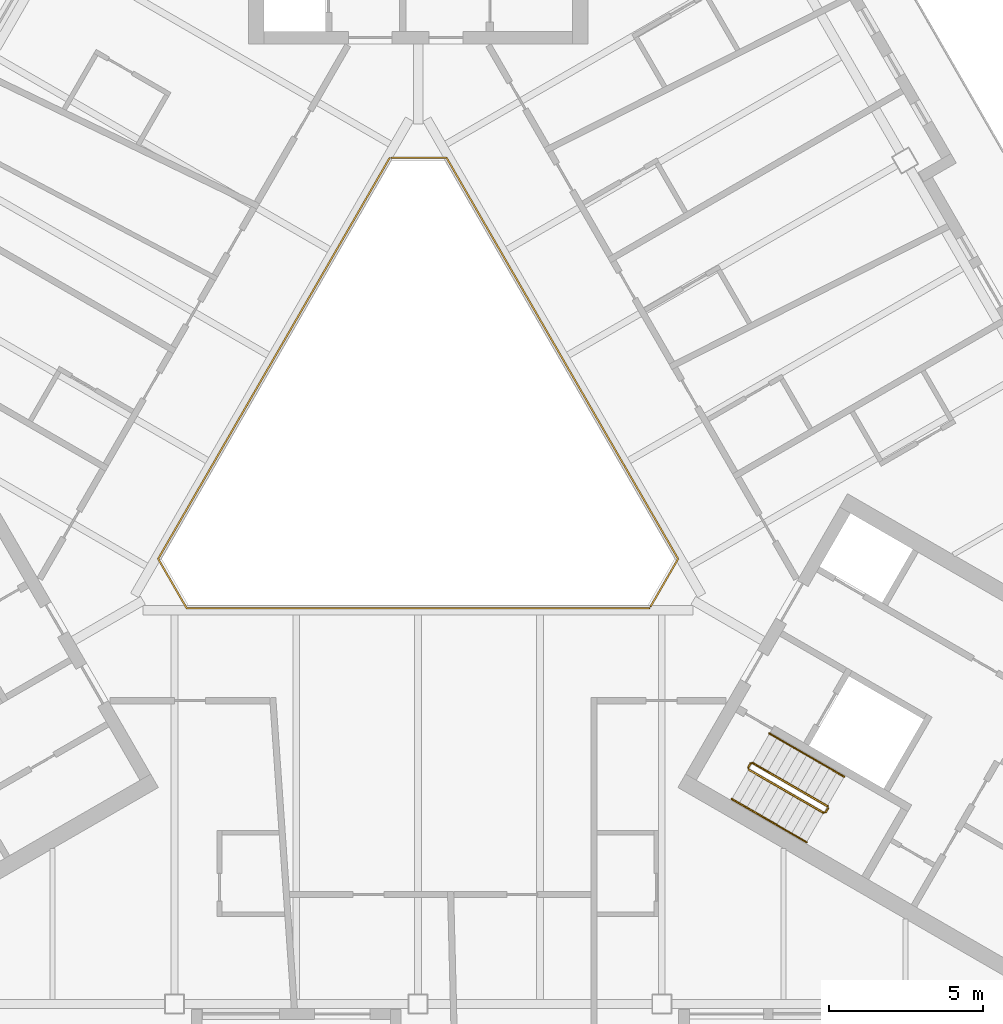
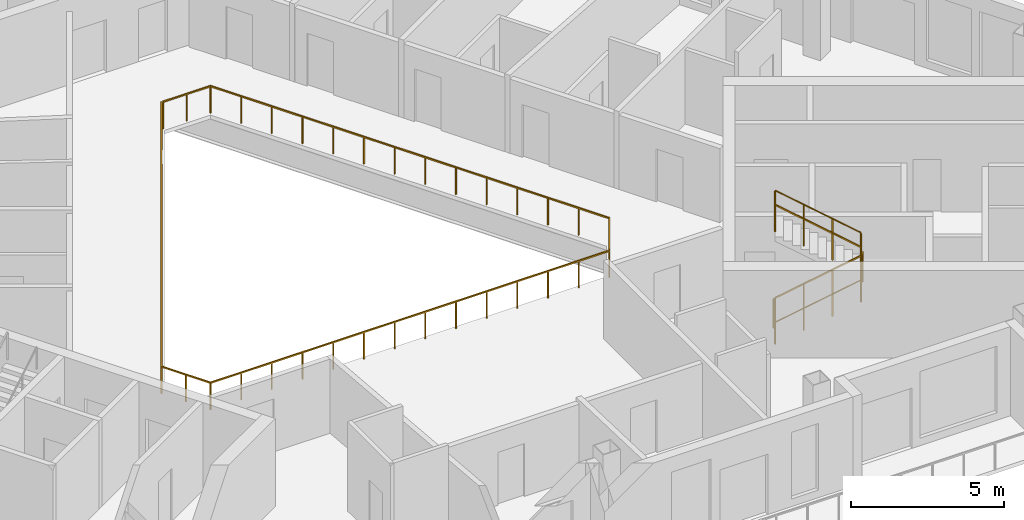
# One storey, part 12 of 14: 8 railings.
"""IFC4 building model written with IfcOpenShell, lengths in metres."""

from ifc_helpers import new_model, si_unit, direction, frame, origin, origin_2d, place, context, subcontext, project, spatial, rectangle, circle, extrude, material, type_object, element, save


model = new_model("IFC4")

# Units and contexts
model_context = context("Model", 3, precision=1e-05, world=origin(), true_north=direction((0.0, 1.0)))
body_context = subcontext(model_context, "Body", "Model", "MODEL_VIEW")
ifc_project = project(units=[si_unit("LENGTHUNIT", "METRE"), si_unit("AREAUNIT", "SQUARE_METRE"), si_unit("VOLUMEUNIT", "CUBIC_METRE"), si_unit("PLANEANGLEUNIT", "RADIAN"), si_unit("MASSUNIT", "GRAM", prefix="KILO")], contexts=[model_context])

# Site, building, storey
site_placement = place(None, origin())
site = spatial("IfcSite", under=ifc_project, at=site_placement, CompositionType="ELEMENT")
building_placement = place(site_placement, origin())
building = spatial("IfcBuilding", under=site, at=building_placement, Name="Apuvela Tower Hotel", CompositionType="ELEMENT")
storey_placement = place(building_placement, frame((0.0, 0.0, 250.39990234375)))
storey = spatial("IfcBuildingStorey", under=building, at=storey_placement, Name="L61", CompositionType="ELEMENT", Elevation=250.39990234375)

# Railings
ifc_material_1 = material(Name="Steel S275 balustrade", Category="steel")
railing_type_1 = type_object("IfcRailingType", Name="COR-GUARD-1100", PredefinedType="GUARDRAIL", material=ifc_material_1)
railing_1_placement = place(storey_placement, frame((10.718994140625, -10.63427734375, 0.168212890625)))
element("IfcRailing", 1, at=railing_1_placement, inside=storey, type_object=railing_type_1, Name="L61 ST3 stair guard 1", PredefinedType="GUARDRAIL", context=body_context, shape_type="SweptSolid", body=[
    extrude(rectangle(XDim=0.048095703125, YDim=0.048095703125, at=origin_2d()), frame((0.0, 0.0, 1.076171875), z_axis=(0.742390482028, -0.42860119049, 0.514934356695), x_axis=(0.49998411664, 0.866034573852, 0.0)), (0.0, 0.0, 1.0), 3.26611328125),
    extrude(rectangle(XDim=0.0419921875, YDim=0.0419921875, at=origin_2d()), origin(), (0.0, 0.0, 1.0), 1.052001953125),
    extrude(rectangle(XDim=0.0419921875, YDim=0.0419921875, at=origin_2d()), frame((0.808349609375, -0.466552734375, 0.560546875)), (0.0, 0.0, 1.0), 1.052001953125),
    extrude(rectangle(XDim=0.0419921875, YDim=0.0419921875, at=origin_2d()), frame((1.616455078125, -0.933349609375, 1.121337890625)), (0.0, 0.0, 1.0), 1.052001953125),
    extrude(rectangle(XDim=0.0419921875, YDim=0.0419921875, at=origin_2d()), frame((2.4248046875, -1.39990234375, 1.681884765625)), (0.0, 0.0, 1.0), 1.052001953125),
])
railing_2_placement = place(storey_placement, frame((13.212158203125, -12.015869140625, 1.85009765625)))
element("IfcRailing", 2, at=railing_2_placement, inside=storey, type_object=railing_type_1, Name="L61 ST3 stair guard 2", PredefinedType="GUARDRAIL", context=body_context, shape_type="SweptSolid", body=[
    extrude(rectangle(XDim=0.048095703125, YDim=0.048095703125, at=origin_2d()), frame((0.0, 0.0, 1.076171875), z_axis=(0.499816412211, 0.866131372301, 0.0), x_axis=(-0.866131372301, 0.499816412211, 0.0)), (0.0, 0.0, 1.0), 0.14990234375),
    extrude(rectangle(XDim=0.0419921875, YDim=0.0419921875, at=origin_2d()), origin(), (0.0, 0.0, 1.0), 1.052001953125),
    extrude(rectangle(XDim=0.0419921875, YDim=0.0419921875, at=origin_2d()), frame((0.074951171875, 0.1298828125, 0.0)), (0.0, 0.0, 1.0), 1.052001953125),
])
railing_3_placement = place(storey_placement, frame((13.268798828125, -11.817626953125, 2.018310546875)))
element("IfcRailing", 3, at=railing_3_placement, inside=storey, type_object=railing_type_1, Name="L61 ST3 stair guard 3", PredefinedType="GUARDRAIL", context=body_context, shape_type="SweptSolid", body=[
    extrude(rectangle(XDim=0.048095703125, YDim=0.048095703125, at=origin_2d()), frame((0.0, 0.0, 1.076171875), z_axis=(-0.742390482028, 0.42860119049, 0.514934356695), x_axis=(-0.49998411664, -0.866034573852, 0.0)), (0.0, 0.0, 1.0), 3.26611328125),
    extrude(rectangle(XDim=0.0419921875, YDim=0.0419921875, at=origin_2d()), origin(), (0.0, 0.0, 1.0), 1.052001953125),
    extrude(rectangle(XDim=0.0419921875, YDim=0.0419921875, at=origin_2d()), frame((-0.808349609375, 0.466552734375, 0.560546875)), (0.0, 0.0, 1.0), 1.052001953125),
    extrude(rectangle(XDim=0.0419921875, YDim=0.0419921875, at=origin_2d()), frame((-1.616455078125, 0.933349609375, 1.121337890625)), (0.0, 0.0, 1.0), 1.052001953125),
    extrude(rectangle(XDim=0.0419921875, YDim=0.0419921875, at=origin_2d()), frame((-2.4248046875, 1.39990234375, 1.681884765625)), (0.0, 0.0, 1.0), 1.052001953125),
])
railing_4_placement = place(storey_placement, frame((10.70068359375, -10.56591796875, 0.0)))
element("IfcRailing", 4, at=railing_4_placement, inside=storey, type_object=railing_type_1, Name="L61 ST3 stair guard 4", PredefinedType="GUARDRAIL", context=body_context, shape_type="SweptSolid", body=[
    extrude(rectangle(XDim=0.048095703125, YDim=0.048095703125, at=origin_2d()), frame((0.0, 0.0, 1.076171875), z_axis=(0.499816412211, 0.866131372301, 0.0), x_axis=(-0.866131372301, 0.499816412211, 0.0)), (0.0, 0.0, 1.0), 0.14990234375),
    extrude(rectangle(XDim=0.0419921875, YDim=0.0419921875, at=origin_2d()), origin(), (0.0, 0.0, 1.0), 1.052001953125),
    extrude(rectangle(XDim=0.0419921875, YDim=0.0419921875, at=origin_2d()), frame((0.074951171875, 0.1298828125, 0.0)), (0.0, 0.0, 1.0), 1.052001953125),
])
ifc_material_2 = material(Name="Stainless steel 316 handrail", Category="steel")
railing_type_2 = type_object("IfcRailingType", Name="COR-HANDRAIL-900", PredefinedType="HANDRAIL", material=ifc_material_2)
railing_5_placement = place(storey_placement, frame((10.1689453125, -11.5869140625, 0.168212890625)))
element("IfcRailing", 5, at=railing_5_placement, inside=storey, type_object=railing_type_2, Name="L61 ST3 stair handrail 1", PredefinedType="HANDRAIL", context=body_context, shape_type="SweptSolid", body=[
    extrude(circle(Radius=0.02392578125, at=origin_2d()), frame((0.0, 0.0, 0.8759765625), z_axis=(0.742390482028, -0.42860119049, 0.514934356695), x_axis=(0.49998411664, 0.866034573852, 0.0)), (0.0, 0.0, 1.0), 3.26611328125),
    extrude(rectangle(XDim=0.0419921875, YDim=0.0419921875, at=origin_2d()), origin(), (0.0, 0.0, 1.0), 0.851806640625),
    extrude(rectangle(XDim=0.0419921875, YDim=0.0419921875, at=origin_2d()), frame((0.808349609375, -0.466552734375, 0.560546875)), (0.0, 0.0, 1.0), 0.851806640625),
    extrude(rectangle(XDim=0.0419921875, YDim=0.0419921875, at=origin_2d()), frame((1.616455078125, -0.933349609375, 1.121337890625)), (0.0, 0.0, 1.0), 0.851806640625),
    extrude(rectangle(XDim=0.0419921875, YDim=0.0419921875, at=origin_2d()), frame((2.4248046875, -1.39990234375, 1.681884765625)), (0.0, 0.0, 1.0), 0.851806640625),
])
railing_6_placement = place(storey_placement, frame((13.81884765625, -10.864990234375, 2.018310546875)))
element("IfcRailing", 6, at=railing_6_placement, inside=storey, type_object=railing_type_2, Name="L61 ST3 stair handrail 2", PredefinedType="HANDRAIL", context=body_context, shape_type="SweptSolid", body=[
    extrude(circle(Radius=0.02392578125, at=origin_2d()), frame((0.0, 0.0, 0.8759765625), z_axis=(-0.742390482028, 0.42860119049, 0.514934356695), x_axis=(-0.49998411664, -0.866034573852, 0.0)), (0.0, 0.0, 1.0), 3.26611328125),
    extrude(rectangle(XDim=0.0419921875, YDim=0.0419921875, at=origin_2d()), origin(), (0.0, 0.0, 1.0), 0.851806640625),
    extrude(rectangle(XDim=0.0419921875, YDim=0.0419921875, at=origin_2d()), frame((-0.808349609375, 0.466552734375, 0.560546875)), (0.0, 0.0, 1.0), 0.851806640625),
    extrude(rectangle(XDim=0.0419921875, YDim=0.0419921875, at=origin_2d()), frame((-1.616455078125, 0.933349609375, 1.121337890625)), (0.0, 0.0, 1.0), 0.851806640625),
    extrude(rectangle(XDim=0.0419921875, YDim=0.0419921875, at=origin_2d()), frame((-2.4248046875, 1.39990234375, 1.681884765625)), (0.0, 0.0, 1.0), 0.851806640625),
])
ifc_material_3 = material(Name="Stainless steel 316 rail with laminated glass infill", Category="steel")
railing_type_3 = type_object("IfcRailingType", Name="ENV-GUARD-1100", PredefinedType="GUARDRAIL", material=ifc_material_3)
railing_7_placement = place(storey_placement, frame((-0.923828125, 9.199951171875, 0.0)))
element("IfcRailing", 7, at=railing_7_placement, inside=storey, type_object=railing_type_3, Name="Atrium void guard A L61", PredefinedType="GUARDRAIL", context=body_context, shape_type="SweptSolid", body=[
    extrude(rectangle(XDim=0.050048828125, YDim=0.050048828125, at=origin_2d()), frame((0.0, 0.0, 1.0751953125), z_axis=(-0.499990886379, -0.866030665472, 0.0), x_axis=(0.866030665472, -0.499990886379, 0.0)), (0.0, 0.0, 1.0), 15.010986328125),
    extrude(rectangle(XDim=0.050048828125, YDim=0.050048828125, at=origin_2d()), frame((-7.50537109375, -13.0, 1.0751953125), z_axis=(0.499962699187, -0.866046938348, 0.0), x_axis=(0.866046938348, 0.499962699187, 0.0)), (0.0, 0.0, 1.0), 1.847412109375),
    extrude(rectangle(XDim=0.050048828125, YDim=0.050048828125, at=origin_2d()), frame((-6.581787109375, -14.599853515625, 1.0751953125), z_axis=(1.0, 0.0, 0.0), x_axis=(0.0, 1.0, 0.0)), (0.0, 0.0, 1.0), 15.01123046875),
    extrude(rectangle(XDim=0.0400390625, YDim=0.0400390625, at=origin_2d()), origin(), (0.0, 0.0, 1.0), 1.050048828125),
    extrude(rectangle(XDim=0.0400390625, YDim=0.0400390625, at=origin_2d()), frame((-0.577392578125, -1.0, 0.0)), (0.0, 0.0, 1.0), 1.050048828125),
    extrude(rectangle(XDim=0.0400390625, YDim=0.0400390625, at=origin_2d()), frame((-1.15478515625, -2.0, 0.0)), (0.0, 0.0, 1.0), 1.050048828125),
    extrude(rectangle(XDim=0.0400390625, YDim=0.0400390625, at=origin_2d()), frame((-1.73193359375, -3.0, 0.0)), (0.0, 0.0, 1.0), 1.050048828125),
    extrude(rectangle(XDim=0.0400390625, YDim=0.0400390625, at=origin_2d()), frame((-2.309326171875, -4.0, 0.0)), (0.0, 0.0, 1.0), 1.050048828125),
    extrude(rectangle(XDim=0.0400390625, YDim=0.0400390625, at=origin_2d()), frame((-2.88671875, -5.0, 0.0)), (0.0, 0.0, 1.0), 1.050048828125),
    extrude(rectangle(XDim=0.0400390625, YDim=0.0400390625, at=origin_2d()), frame((-3.464111328125, -6.0, 0.0)), (0.0, 0.0, 1.0), 1.050048828125),
    extrude(rectangle(XDim=0.0400390625, YDim=0.0400390625, at=origin_2d()), frame((-4.041259765625, -7.0, 0.0)), (0.0, 0.0, 1.0), 1.050048828125),
    extrude(rectangle(XDim=0.0400390625, YDim=0.0400390625, at=origin_2d()), frame((-4.61865234375, -8.0, 0.0)), (0.0, 0.0, 1.0), 1.050048828125),
    extrude(rectangle(XDim=0.0400390625, YDim=0.0400390625, at=origin_2d()), frame((-5.196044921875, -9.0, 0.0)), (0.0, 0.0, 1.0), 1.050048828125),
    extrude(rectangle(XDim=0.0400390625, YDim=0.0400390625, at=origin_2d()), frame((-5.7734375, -10.0, 0.0)), (0.0, 0.0, 1.0), 1.050048828125),
    extrude(rectangle(XDim=0.0400390625, YDim=0.0400390625, at=origin_2d()), frame((-6.3505859375, -11.0, 0.0)), (0.0, 0.0, 1.0), 1.050048828125),
    extrude(rectangle(XDim=0.0400390625, YDim=0.0400390625, at=origin_2d()), frame((-6.927978515625, -12.0, 0.0)), (0.0, 0.0, 1.0), 1.050048828125),
    extrude(rectangle(XDim=0.0400390625, YDim=0.0400390625, at=origin_2d()), frame((-7.50537109375, -13.0, 0.0)), (0.0, 0.0, 1.0), 1.050048828125),
    extrude(rectangle(XDim=0.0400390625, YDim=0.0400390625, at=origin_2d()), frame((-7.04345703125, -13.7998046875, 0.0)), (0.0, 0.0, 1.0), 1.050048828125),
    extrude(rectangle(XDim=0.0400390625, YDim=0.0400390625, at=origin_2d()), frame((-6.581787109375, -14.599853515625, 0.0)), (0.0, 0.0, 1.0), 1.050048828125),
    extrude(rectangle(XDim=0.0400390625, YDim=0.0400390625, at=origin_2d()), frame((-5.427001953125, -14.599853515625, 0.0)), (0.0, 0.0, 1.0), 1.050048828125),
    extrude(rectangle(XDim=0.0400390625, YDim=0.0400390625, at=origin_2d()), frame((-4.2724609375, -14.599853515625, 0.0)), (0.0, 0.0, 1.0), 1.050048828125),
    extrude(rectangle(XDim=0.0400390625, YDim=0.0400390625, at=origin_2d()), frame((-3.11767578125, -14.599853515625, 0.0)), (0.0, 0.0, 1.0), 1.050048828125),
    extrude(rectangle(XDim=0.0400390625, YDim=0.0400390625, at=origin_2d()), frame((-1.962890625, -14.599853515625, 0.0)), (0.0, 0.0, 1.0), 1.050048828125),
    extrude(rectangle(XDim=0.0400390625, YDim=0.0400390625, at=origin_2d()), frame((-0.808349609375, -14.599853515625, 0.0)), (0.0, 0.0, 1.0), 1.050048828125),
    extrude(rectangle(XDim=0.0400390625, YDim=0.0400390625, at=origin_2d()), frame((0.346435546875, -14.599853515625, 0.0)), (0.0, 0.0, 1.0), 1.050048828125),
    extrude(rectangle(XDim=0.0400390625, YDim=0.0400390625, at=origin_2d()), frame((1.501220703125, -14.599853515625, 0.0)), (0.0, 0.0, 1.0), 1.050048828125),
    extrude(rectangle(XDim=0.0400390625, YDim=0.0400390625, at=origin_2d()), frame((2.656005859375, -14.599853515625, 0.0)), (0.0, 0.0, 1.0), 1.050048828125),
    extrude(rectangle(XDim=0.0400390625, YDim=0.0400390625, at=origin_2d()), frame((3.810546875, -14.599853515625, 0.0)), (0.0, 0.0, 1.0), 1.050048828125),
    extrude(rectangle(XDim=0.0400390625, YDim=0.0400390625, at=origin_2d()), frame((4.96533203125, -14.599853515625, 0.0)), (0.0, 0.0, 1.0), 1.050048828125),
    extrude(rectangle(XDim=0.0400390625, YDim=0.0400390625, at=origin_2d()), frame((6.1201171875, -14.599853515625, 0.0)), (0.0, 0.0, 1.0), 1.050048828125),
    extrude(rectangle(XDim=0.0400390625, YDim=0.0400390625, at=origin_2d()), frame((7.274658203125, -14.599853515625, 0.0)), (0.0, 0.0, 1.0), 1.050048828125),
    extrude(rectangle(XDim=0.0400390625, YDim=0.0400390625, at=origin_2d()), frame((8.429443359375, -14.599853515625, 0.0)), (0.0, 0.0, 1.0), 1.050048828125),
])
railing_8_placement = place(storey_placement, frame((7.53564453125, -5.347900390625, 0.0)))
element("IfcRailing", 8, at=railing_8_placement, inside=storey, type_object=railing_type_3, Name="Atrium void guard B L61", PredefinedType="GUARDRAIL", context=body_context, shape_type="SweptSolid", body=[
    extrude(rectangle(XDim=0.050048828125, YDim=0.050048828125, at=origin_2d()), frame((0.0, 0.0, 1.0751953125), z_axis=(0.499958946799, 0.866049104564, 0.0), x_axis=(-0.866049104564, 0.499958946799, 0.0)), (0.0, 0.0, 1.0), 1.787353515625),
    extrude(rectangle(XDim=0.050048828125, YDim=0.050048828125, at=origin_2d()), frame((0.8935546875, 1.5478515625, 1.0751953125), z_axis=(-0.499990886379, 0.866030665472, 0.0), x_axis=(-0.866030665472, -0.499990886379, 0.0)), (0.0, 0.0, 1.0), 15.010986328125),
    extrude(rectangle(XDim=0.050048828125, YDim=0.050048828125, at=origin_2d()), frame((-6.61181640625, 14.5478515625, 1.0751953125), z_axis=(-1.0, 0.0, 0.0), x_axis=(0.0, -1.0, 0.0)), (0.0, 0.0, 1.0), 1.78759765625),
    extrude(rectangle(XDim=0.0400390625, YDim=0.0400390625, at=origin_2d()), origin(), (0.0, 0.0, 1.0), 1.050048828125),
    extrude(rectangle(XDim=0.0400390625, YDim=0.0400390625, at=origin_2d()), frame((0.44677734375, 0.77392578125, 0.0)), (0.0, 0.0, 1.0), 1.050048828125),
    extrude(rectangle(XDim=0.0400390625, YDim=0.0400390625, at=origin_2d()), frame((0.8935546875, 1.5478515625, 0.0)), (0.0, 0.0, 1.0), 1.050048828125),
    extrude(rectangle(XDim=0.0400390625, YDim=0.0400390625, at=origin_2d()), frame((0.316162109375, 2.5478515625, 0.0)), (0.0, 0.0, 1.0), 1.050048828125),
    extrude(rectangle(XDim=0.0400390625, YDim=0.0400390625, at=origin_2d()), frame((-0.26123046875, 3.5478515625, 0.0)), (0.0, 0.0, 1.0), 1.050048828125),
    extrude(rectangle(XDim=0.0400390625, YDim=0.0400390625, at=origin_2d()), frame((-0.83837890625, 4.5478515625, 0.0)), (0.0, 0.0, 1.0), 1.050048828125),
    extrude(rectangle(XDim=0.0400390625, YDim=0.0400390625, at=origin_2d()), frame((-1.415771484375, 5.5478515625, 0.0)), (0.0, 0.0, 1.0), 1.050048828125),
    extrude(rectangle(XDim=0.0400390625, YDim=0.0400390625, at=origin_2d()), frame((-1.9931640625, 6.5478515625, 0.0)), (0.0, 0.0, 1.0), 1.050048828125),
    extrude(rectangle(XDim=0.0400390625, YDim=0.0400390625, at=origin_2d()), frame((-2.570556640625, 7.5478515625, 0.0)), (0.0, 0.0, 1.0), 1.050048828125),
    extrude(rectangle(XDim=0.0400390625, YDim=0.0400390625, at=origin_2d()), frame((-3.147705078125, 8.5478515625, 0.0)), (0.0, 0.0, 1.0), 1.050048828125),
    extrude(rectangle(XDim=0.0400390625, YDim=0.0400390625, at=origin_2d()), frame((-3.72509765625, 9.5478515625, 0.0)), (0.0, 0.0, 1.0), 1.050048828125),
    extrude(rectangle(XDim=0.0400390625, YDim=0.0400390625, at=origin_2d()), frame((-4.302490234375, 10.5478515625, 0.0)), (0.0, 0.0, 1.0), 1.050048828125),
    extrude(rectangle(XDim=0.0400390625, YDim=0.0400390625, at=origin_2d()), frame((-4.8798828125, 11.5478515625, 0.0)), (0.0, 0.0, 1.0), 1.050048828125),
    extrude(rectangle(XDim=0.0400390625, YDim=0.0400390625, at=origin_2d()), frame((-5.45703125, 12.5478515625, 0.0)), (0.0, 0.0, 1.0), 1.050048828125),
    extrude(rectangle(XDim=0.0400390625, YDim=0.0400390625, at=origin_2d()), frame((-6.034423828125, 13.5478515625, 0.0)), (0.0, 0.0, 1.0), 1.050048828125),
    extrude(rectangle(XDim=0.0400390625, YDim=0.0400390625, at=origin_2d()), frame((-6.61181640625, 14.5478515625, 0.0)), (0.0, 0.0, 1.0), 1.050048828125),
    extrude(rectangle(XDim=0.0400390625, YDim=0.0400390625, at=origin_2d()), frame((-7.505615234375, 14.5478515625, 0.0)), (0.0, 0.0, 1.0), 1.050048828125),
    extrude(rectangle(XDim=0.0400390625, YDim=0.0400390625, at=origin_2d()), frame((-8.3994140625, 14.5478515625, 0.0)), (0.0, 0.0, 1.0), 1.050048828125),
])

save(model, "model.ifc")
